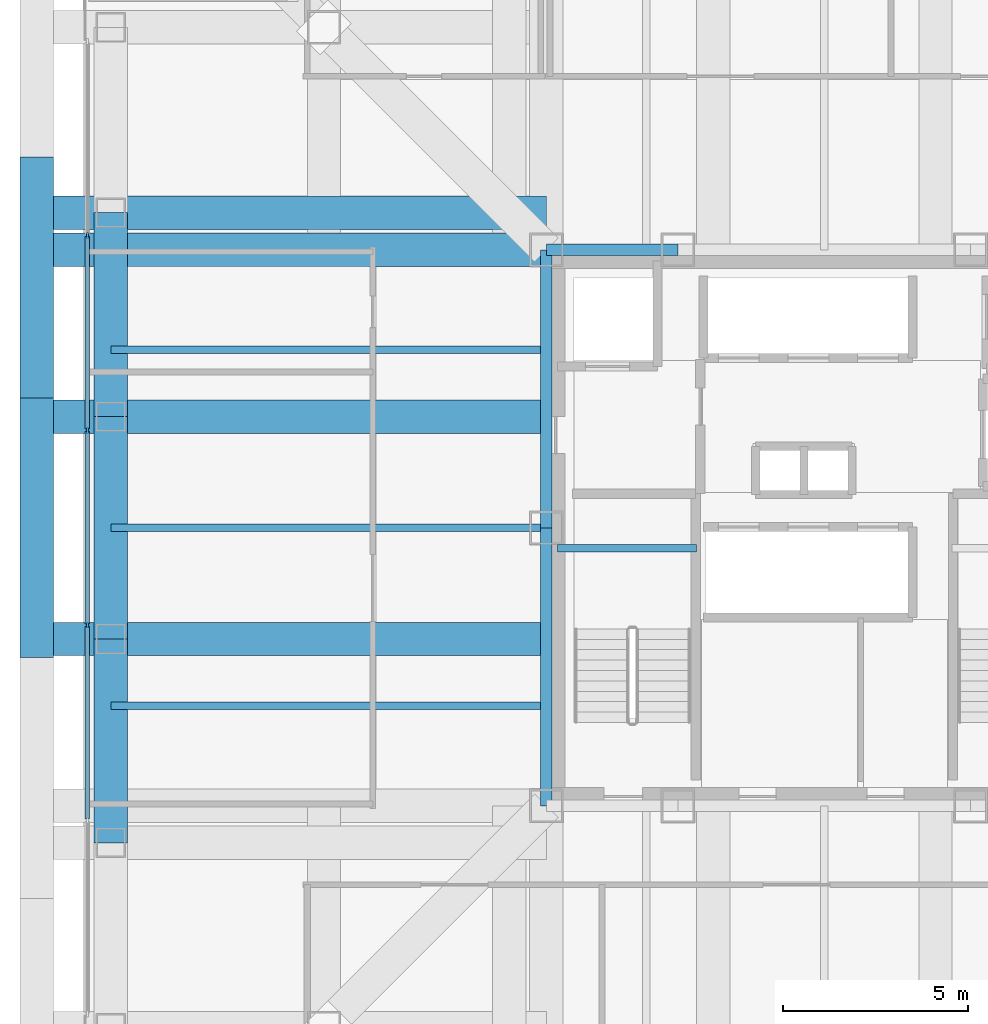
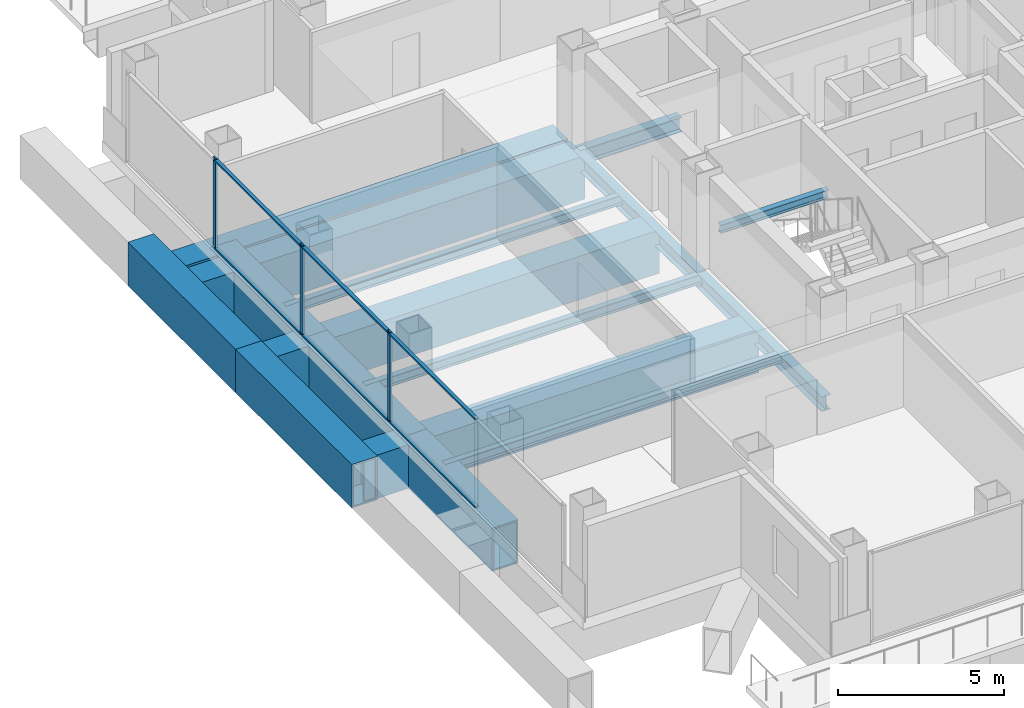
# One storey, part 4 of 14: 16 beams, 9 members, 1 element without a shape of its own.
"""IFC4 building model written with IfcOpenShell, lengths in metres."""

from ifc_helpers import new_model, si_unit, direction, frame, origin, origin_2d, place, context, subcontext, project, spatial, rectangle, hollow_rectangle, i_section, extrude, material, layer, layer_set, material_profile, profile_set, type_object, element, aggregate, save


model = new_model("IFC4")

# Units and contexts
model_context = context("Model", 3, precision=1e-05, world=origin(), true_north=direction((0.0, 1.0)))
body_context = subcontext(model_context, "Body", "Model", "MODEL_VIEW")
ifc_project = project(units=[si_unit("LENGTHUNIT", "METRE"), si_unit("AREAUNIT", "SQUARE_METRE"), si_unit("VOLUMEUNIT", "CUBIC_METRE"), si_unit("PLANEANGLEUNIT", "RADIAN"), si_unit("MASSUNIT", "GRAM", prefix="KILO")], contexts=[model_context])

# Site, building, storey
site_placement = place(None, origin())
site = spatial("IfcSite", under=ifc_project, at=site_placement, CompositionType="ELEMENT")
building_placement = place(site_placement, origin())
building = spatial("IfcBuilding", under=site, at=building_placement, Name="Trevonay Congress Spire", CompositionType="ELEMENT")
storey_placement = place(building_placement, frame((0.0, 0.0, 166.199951171875)))
storey = spatial("IfcBuildingStorey", under=building, at=storey_placement, Name="L42", CompositionType="ELEMENT", Elevation=166.199951171875)

# Beams
ifc_material_1 = material(Name="Steel ASTM A572 Grade 50", Category="steel")
ifc_material_profile_1 = material_profile(ifc_material_1, i_section(OverallWidth=0.31201171875, OverallDepth=0.54296875, WebThickness=0.0126953125, FlangeThickness=0.020263671875, FilletRadius=0.014892578125, at=origin_2d()), Name="W530x150")
ifc_profile_set_1 = profile_set([ifc_material_profile_1], Name="Steel ASTM A572 Grade 50")
beam_type_1 = type_object("IfcBeamType", Name="BM-GIRD-W530X150", PredefinedType="BEAM", material=ifc_profile_set_1)
beam_1_placement = place(storey_placement, frame((-7.5, 7.5, -0.67138671875), z_axis=(1.0, 0.0, 0.0), x_axis=(0.0, 1.0, 0.0)))
element("IfcBeam", 1, at=beam_1_placement, inside=storey, type_object=beam_type_1, Name="L42 structural beam BM-L42-CR-N1", PredefinedType="BEAM", context=body_context, shape_type="SweptSolid", body=[
    extrude(i_section(OverallWidth=0.31201171875, OverallDepth=0.54296875, WebThickness=0.0126953125, FlangeThickness=0.020263671875, FilletRadius=0.014892578125, at=origin_2d()), origin(), (0.0, 0.0, 1.0), 3.550048828125),
])
for number, where, z_axis, x_axis, name in (
    (2, (-7.5, -7.5, -0.67138671875), (0.0, 1.0, 0.0), (-1.0, 0.0, 0.0), "L42 structural beam BM-L42-CR-W1"),
    (3, (-7.5, 0.0, -0.67138671875), (0.0, 1.0, 0.0), (-1.0, 0.0, 0.0), "L42 structural beam BM-L42-CR-W2"),
):
    element("IfcBeam", number, at=place(storey_placement, frame(where, z_axis=z_axis, x_axis=x_axis)), inside=storey, type_object=beam_type_1, Name=name, PredefinedType="BEAM", context=body_context, shape_type="SweptSolid", body=[
        extrude(i_section(OverallWidth=0.31201171875, OverallDepth=0.54296875, WebThickness=0.0126953125, FlangeThickness=0.020263671875, FilletRadius=0.014892578125, at=origin_2d()), origin(), (0.0, 0.0, 1.0), 7.5),
    ])
ifc_material_profile_2 = material_profile(ifc_material_1, hollow_rectangle(XDim=0.89990234375, YDim=1.60009765625, WallThickness=0.06005859375, at=origin_2d()), Name="BOX 1600x900x60")
ifc_profile_set_2 = profile_set([ifc_material_profile_2], Name="Steel ASTM A572 Grade 50")
beam_type_2 = type_object("IfcBeamType", Name="BM-RING-BOX1600", PredefinedType="BEAM", material=ifc_profile_set_2)
beam_2_placement = place(storey_placement, frame((-19.25, -8.5, -1.199951171875), z_axis=(0.0, 1.0, 0.0), x_axis=(-1.0, 0.0, 0.0)))
element("IfcBeam", 4, at=beam_2_placement, inside=storey, type_object=beam_type_2, Name="L42 structural beam BM-L42-PW2", PredefinedType="BEAM", context=body_context, shape_type="SweptSolid", body=[
    extrude(hollow_rectangle(XDim=0.89990234375, YDim=1.60009765625, WallThickness=0.06005859375, at=origin_2d()), origin(), (0.0, 0.0, 1.0), 5.5),
])
beam_3_placement = place(storey_placement, frame((-19.25, -3.0, -1.199951171875), z_axis=(0.0, 1.0, 0.0), x_axis=(-1.0, 0.0, 0.0)))
element("IfcBeam", 5, at=beam_3_placement, inside=storey, type_object=beam_type_2, Name="L42 structural beam BM-L42-PW3", PredefinedType="BEAM", context=body_context, shape_type="SweptSolid", body=[
    extrude(hollow_rectangle(XDim=0.89990234375, YDim=1.60009765625, WallThickness=0.06005859375, at=origin_2d()), origin(), (0.0, 0.0, 1.0), 6.0),
])
beam_4_placement = place(storey_placement, frame((-19.25, 3.0, -1.199951171875), z_axis=(0.0, 1.0, 0.0), x_axis=(-1.0, 0.0, 0.0)))
element("IfcBeam", 6, at=beam_4_placement, inside=storey, type_object=beam_type_2, Name="L42 structural beam BM-L42-PW4", PredefinedType="BEAM", context=body_context, shape_type="SweptSolid", body=[
    extrude(hollow_rectangle(XDim=0.89990234375, YDim=1.60009765625, WallThickness=0.06005859375, at=origin_2d()), origin(), (0.0, 0.0, 1.0), 5.5),
])
beam_5_placement = place(storey_placement, frame((-21.25, -3.5, -1.199951171875), z_axis=(0.0, 1.0, 0.0), x_axis=(-1.0, 0.0, 0.0)))
element("IfcBeam", 7, at=beam_5_placement, inside=storey, type_object=beam_type_2, Name="L42 structural beam XOUT-L42-W2", PredefinedType="BEAM", context=body_context, shape_type="SweptSolid", body=[
    extrude(hollow_rectangle(XDim=0.89990234375, YDim=1.60009765625, WallThickness=0.06005859375, at=origin_2d()), origin(), (0.0, 0.0, 1.0), 7.0),
])
beam_6_placement = place(storey_placement, frame((-21.25, 3.5, -1.199951171875), z_axis=(0.0, 1.0, 0.0), x_axis=(-1.0, 0.0, 0.0)))
element("IfcBeam", 8, at=beam_6_placement, inside=storey, type_object=beam_type_2, Name="L42 structural beam XOUT-L42-W3", PredefinedType="BEAM", context=body_context, shape_type="SweptSolid", body=[
    extrude(hollow_rectangle(XDim=0.89990234375, YDim=1.60009765625, WallThickness=0.06005859375, at=origin_2d()), origin(), (0.0, 0.0, 1.0), 6.5),
])
ifc_material_profile_3 = material_profile(ifc_material_1, hollow_rectangle(XDim=0.89990234375, YDim=1.60009765625, WallThickness=0.06005859375, at=origin_2d()), Name="BOX 1600x900x60")
ifc_profile_set_3 = profile_set([ifc_material_profile_3], Name="Steel ASTM A572 Grade 50")
beam_type_3 = type_object("IfcBeamType", Name="BM-XFER-BOX1600", PredefinedType="BEAM", material=ifc_profile_set_3)
for number, where, z_axis, x_axis, name in (
    (9, (-7.5, 7.5, -1.199951171875), (-1.0, 0.0, 0.0), (0.0, -1.0, 0.0), "L42 structural beam XSPN-L42-CX-NW"),
    (10, (-7.5, -3.0, -1.199951171875), (-1.0, 0.0, 0.0), (0.0, -1.0, 0.0), "L42 structural beam XFER-L42-W2"),
    (11, (-7.5, 3.0, -1.199951171875), (-1.0, 0.0, 0.0), (0.0, -1.0, 0.0), "L42 structural beam XFER-L42-W3"),
    (12, (-7.5, 8.5, -1.199951171875), (-1.0, 0.0, 0.0), (0.0, -1.0, 0.0), "L42 structural beam XFER-L42-W4"),
):
    element("IfcBeam", number, at=place(storey_placement, frame(where, z_axis=z_axis, x_axis=x_axis)), inside=storey, type_object=beam_type_3, Name=name, PredefinedType="BEAM", context=body_context, shape_type="SweptSolid", body=[
        extrude(hollow_rectangle(XDim=0.89990234375, YDim=1.60009765625, WallThickness=0.06005859375, at=origin_2d()), origin(), (0.0, 0.0, 1.0), 13.75),
    ])

# Curtain wall, members
ifc_material_2 = material(Name="Pale Anodised Aluminium EN AW-6063-T6", Category="aluminium")
ifc_layer = layer(ifc_material_2, 0.169921875, Name="Pale Anodised Aluminium EN AW-6063-T6")
ifc_layer_set = layer_set([ifc_layer], Name="Pale Anodised Aluminium EN AW-6063-T6")
curtain_wall_type = type_object("IfcCurtainWallType", Name="CW-SYS04-CORP-PALE-METAL", PredefinedType="NOTDEFINED", material=ifc_layer_set)
curtain_wall_placement = place(storey_placement, origin())
curtain_wall = element("IfcCurtainWall", 13, at=curtain_wall_placement, inside=storey, type_object=curtain_wall_type, Name="L42 W unitised curtain wall", PredefinedType="NOTDEFINED")
ifc_material_profile_4 = material_profile(ifc_material_2, rectangle(XDim=0.06005859375, YDim=0.159912109375, at=origin_2d()), Name="CW-MULLION-160-ALUMINIUM")
ifc_profile_set_4 = profile_set([ifc_material_profile_4], Name="Pale Anodised Aluminium EN AW-6063-T6")
member_type_1 = type_object("IfcMemberType", Name="CW-MULLION-160-ALUMINIUM", PredefinedType="MULLION", material=ifc_profile_set_4)
member_1_placement = place(storey_placement, frame((-19.8798828125, -2.6298828125, 0.0), z_axis=(0.0, 0.0, 1.0), x_axis=(-1.0, 0.0, 0.0)))
member_1 = element("IfcMember", 14, at=member_1_placement, type_object=member_type_1, Name="CW04 mullion 3", PredefinedType="MULLION", context=body_context, shape_type="SweptSolid", body=[
    extrude(rectangle(XDim=0.06005859375, YDim=0.159912109375, at=origin_2d()), origin(), (0.0, 0.0, 1.0), 3.360107421875),
])
member_2_placement = place(storey_placement, frame((-19.8798828125, 2.6298828125, 0.0), z_axis=(0.0, 0.0, 1.0), x_axis=(-1.0, 0.0, 0.0)))
member_2 = element("IfcMember", 15, at=member_2_placement, type_object=member_type_1, Name="CW04 mullion 4", PredefinedType="MULLION", context=body_context, shape_type="SweptSolid", body=[
    extrude(rectangle(XDim=0.06005859375, YDim=0.159912109375, at=origin_2d()), origin(), (0.0, 0.0, 1.0), 3.360107421875),
])
member_3_placement = place(storey_placement, frame((-19.8798828125, 7.889892578125, 0.0), z_axis=(0.0, 0.0, 1.0), x_axis=(-1.0, 0.0, 0.0)))
member_3 = element("IfcMember", 16, at=member_3_placement, type_object=member_type_1, Name="CW04 mullion 5", PredefinedType="MULLION", context=body_context, shape_type="SweptSolid", body=[
    extrude(rectangle(XDim=0.06005859375, YDim=0.159912109375, at=origin_2d()), origin(), (0.0, 0.0, 1.0), 3.360107421875),
])
ifc_material_profile_5 = material_profile(ifc_material_2, rectangle(XDim=0.1201171875, YDim=0.06005859375, at=origin_2d()), Name="CW-TRANSOM-120-ALUMINIUM")
ifc_profile_set_5 = profile_set([ifc_material_profile_5], Name="Pale Anodised Aluminium EN AW-6063-T6")
member_type_2 = type_object("IfcMemberType", Name="CW-TRANSOM-120-ALUMINIUM", PredefinedType="USERDEFINED", material=ifc_profile_set_5)
member_4_placement = place(storey_placement, frame((-19.8798828125, -7.860107421875, 0.06005859375), z_axis=(0.0, 1.0, 0.0), x_axis=(-1.0, 0.0, 0.0)))
member_4 = element("IfcMember", 17, at=member_4_placement, type_object=member_type_2, Name="CW04 transom 2.1", ObjectType="TRANSOM", PredefinedType="USERDEFINED", context=body_context, shape_type="SweptSolid", body=[
    extrude(rectangle(XDim=0.1201171875, YDim=0.06005859375, at=origin_2d()), origin(), (0.0, 0.0, 1.0), 5.2001953125),
])
member_5_placement = place(storey_placement, frame((-19.8798828125, -7.860107421875, 3.300048828125), z_axis=(0.0, 1.0, 0.0), x_axis=(-1.0, 0.0, 0.0)))
member_5 = element("IfcMember", 18, at=member_5_placement, type_object=member_type_2, Name="CW04 transom 2.2", ObjectType="TRANSOM", PredefinedType="USERDEFINED", context=body_context, shape_type="SweptSolid", body=[
    extrude(rectangle(XDim=0.1201171875, YDim=0.06005859375, at=origin_2d()), origin(), (0.0, 0.0, 1.0), 5.2001953125),
])
member_6_placement = place(storey_placement, frame((-19.8798828125, -2.60009765625, 0.06005859375), z_axis=(0.0, 1.0, 0.0), x_axis=(-1.0, 0.0, 0.0)))
member_6 = element("IfcMember", 19, at=member_6_placement, type_object=member_type_2, Name="CW04 transom 3.1", ObjectType="TRANSOM", PredefinedType="USERDEFINED", context=body_context, shape_type="SweptSolid", body=[
    extrude(rectangle(XDim=0.1201171875, YDim=0.06005859375, at=origin_2d()), origin(), (0.0, 0.0, 1.0), 5.2001953125),
])
member_7_placement = place(storey_placement, frame((-19.8798828125, -2.60009765625, 3.300048828125), z_axis=(0.0, 1.0, 0.0), x_axis=(-1.0, 0.0, 0.0)))
member_7 = element("IfcMember", 20, at=member_7_placement, type_object=member_type_2, Name="CW04 transom 3.2", ObjectType="TRANSOM", PredefinedType="USERDEFINED", context=body_context, shape_type="SweptSolid", body=[
    extrude(rectangle(XDim=0.1201171875, YDim=0.06005859375, at=origin_2d()), origin(), (0.0, 0.0, 1.0), 5.2001953125),
])
member_8_placement = place(storey_placement, frame((-19.8798828125, 2.659912109375, 0.06005859375), z_axis=(0.0, 1.0, 0.0), x_axis=(-1.0, 0.0, 0.0)))
member_8 = element("IfcMember", 21, at=member_8_placement, type_object=member_type_2, Name="CW04 transom 4.1", ObjectType="TRANSOM", PredefinedType="USERDEFINED", context=body_context, shape_type="SweptSolid", body=[
    extrude(rectangle(XDim=0.1201171875, YDim=0.06005859375, at=origin_2d()), origin(), (0.0, 0.0, 1.0), 5.2001953125),
])
member_9_placement = place(storey_placement, frame((-19.8798828125, 2.659912109375, 3.300048828125), z_axis=(0.0, 1.0, 0.0), x_axis=(-1.0, 0.0, 0.0)))
member_9 = element("IfcMember", 22, at=member_9_placement, type_object=member_type_2, Name="CW04 transom 4.2", ObjectType="TRANSOM", PredefinedType="USERDEFINED", context=body_context, shape_type="SweptSolid", body=[
    extrude(rectangle(XDim=0.1201171875, YDim=0.06005859375, at=origin_2d()), origin(), (0.0, 0.0, 1.0), 5.2001953125),
])
aggregate(curtain_wall, [member_1, member_2, member_3, member_4, member_5, member_6, member_7, member_8, member_9])

# Beams
ifc_material_profile_6 = material_profile(ifc_material_1, i_section(OverallWidth=0.205078125, OverallDepth=0.35400390625, WebThickness=0.009521484375, FlangeThickness=0.016845703125, FilletRadius=0.011962890625, at=origin_2d()), Name="W360x79")
ifc_profile_set_6 = profile_set([ifc_material_profile_6], Name="Steel ASTM A572 Grade 50")
beam_type_4 = type_object("IfcBeamType", Name="JS-COMP-W360X79", PredefinedType="JOIST", material=ifc_profile_set_6)
for number, where, z_axis, x_axis, name in (
    (23, (-19.25, -4.800048828125, -0.576904296875), (1.0, 0.0, 0.0), (0.0, 1.0, 0.0), "L42 structural beam JS-L42-EW-W1"),
    (24, (-19.25, 0.0, -0.576904296875), (1.0, 0.0, 0.0), (0.0, 1.0, 0.0), "L42 structural beam JS-L42-EW-W2"),
    (25, (-19.25, 4.800048828125, -0.576904296875), (1.0, 0.0, 0.0), (0.0, 1.0, 0.0), "L42 structural beam JS-L42-EW-W3"),
):
    element("IfcBeam", number, at=place(storey_placement, frame(where, z_axis=z_axis, x_axis=x_axis)), inside=storey, type_object=beam_type_4, Name=name, PredefinedType="JOIST", context=body_context, shape_type="SweptSolid", body=[
        extrude(i_section(OverallWidth=0.205078125, OverallDepth=0.35400390625, WebThickness=0.009521484375, FlangeThickness=0.016845703125, FilletRadius=0.011962890625, at=origin_2d()), origin(), (0.0, 0.0, 1.0), 11.75),
    ])
ifc_material_profile_7 = material_profile(ifc_material_1, i_section(OverallWidth=0.2041015625, OverallDepth=0.305908203125, WebThickness=0.008544921875, FlangeThickness=0.0146484375, FilletRadius=0.010986328125, at=origin_2d()), Name="W310x67")
ifc_profile_set_7 = profile_set([ifc_material_profile_7], Name="Steel ASTM A572 Grade 50")
beam_type_5 = type_object("IfcBeamType", Name="LN-CORE-W310X67", PredefinedType="LINTEL", material=ifc_profile_set_7)
beam_7_placement = place(storey_placement, frame((-7.199951171875, -0.550048828125, 1.447021484375), z_axis=(1.0, 0.0, 0.0), x_axis=(0.0, 1.0, 0.0)))
element("IfcBeam", 26, at=beam_7_placement, inside=storey, type_object=beam_type_5, Name="L42 structural beam BM-L42-HL-ST1", PredefinedType="LINTEL", context=body_context, shape_type="SweptSolid", body=[
    extrude(i_section(OverallWidth=0.2041015625, OverallDepth=0.305908203125, WebThickness=0.008544921875, FlangeThickness=0.0146484375, FilletRadius=0.010986328125, at=origin_2d()), origin(), (0.0, 0.0, 1.0), 3.75),
])

save(model, "model.ifc")
